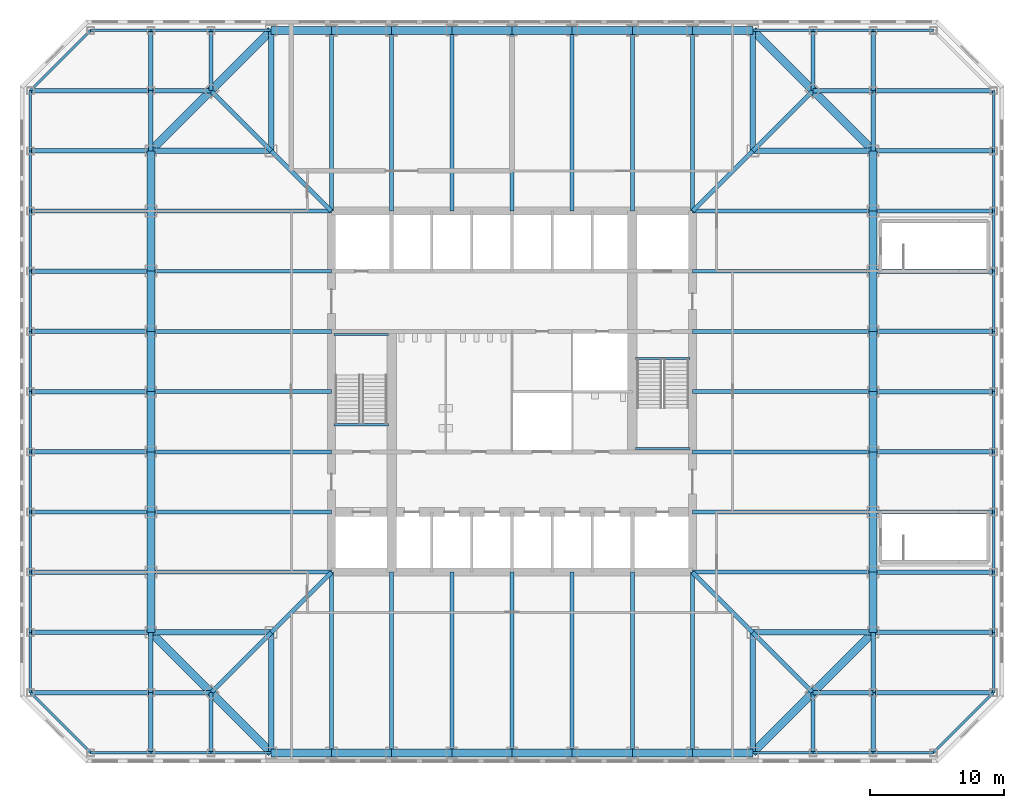
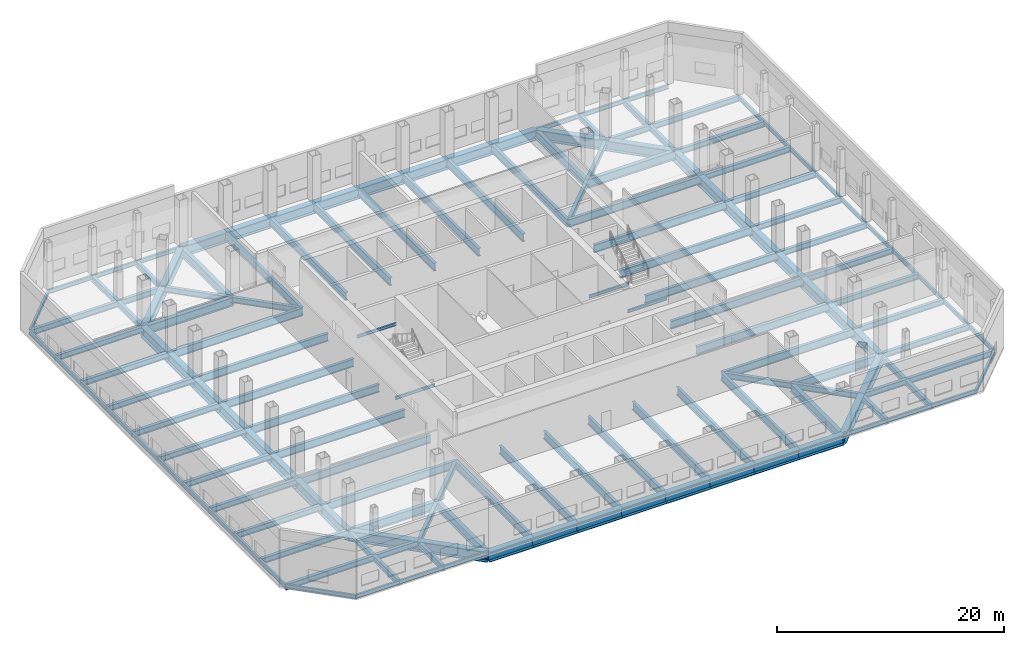
# One storey, part 4 of 14: 161 beams.
"""IFC4 building model written with IfcOpenShell, lengths in metres."""

from ifc_helpers import new_model, si_unit, direction, frame, origin, origin_2d, place, context, subcontext, project, spatial, i_section, extrude, material, material_profile, profile_set, type_object, element, save


model = new_model("IFC4")

# Units and contexts
model_context = context("Model", 3, precision=1e-05, world=origin(), true_north=direction((0.0, 1.0)))
body_context = subcontext(model_context, "Body", "Model", "MODEL_VIEW")
ifc_project = project(units=[si_unit("LENGTHUNIT", "METRE"), si_unit("AREAUNIT", "SQUARE_METRE"), si_unit("VOLUMEUNIT", "CUBIC_METRE"), si_unit("PLANEANGLEUNIT", "RADIAN"), si_unit("MASSUNIT", "GRAM", prefix="KILO")], contexts=[model_context])

# Site, building, storey
site_placement = place(None, origin())
site = spatial("IfcSite", under=ifc_project, at=site_placement, CompositionType="ELEMENT")
building_placement = place(site_placement, origin())
building = spatial("IfcBuilding", under=site, at=building_placement, Name="Corais Broadcast Tower", CompositionType="ELEMENT")
storey_placement = place(building_placement, frame((0.0, 0.0, 18.0)))
storey = spatial("IfcBuildingStorey", under=building, at=storey_placement, Name="L03", CompositionType="ELEMENT", Elevation=18.0)

# Beams
ifc_material_1 = material(Name="Steel ASTM A572 Grade 50", Category="steel")
ifc_material_profile_1 = material_profile(ifc_material_1, i_section(OverallWidth=0.323974609375, OverallDepth=0.611083984375, WebThickness=0.0126953125, FlangeThickness=0.01904296875, at=origin_2d()), Name="W610x155")
ifc_profile_set_1 = profile_set([ifc_material_profile_1], Name="Steel ASTM A572 Grade 50")
beam_type_1 = type_object("IfcBeamType", Name="Chamfer tie W610x155", PredefinedType="BEAM", material=ifc_profile_set_1)
for number, where, z_axis, x_axis, name in (
    (1, (0.0, 0.0, -0.505615234375), (0.0, 1.0, 0.0), (-1.0, 0.0, 0.0), "B5 A/3 to B/3"),
    (2, (0.0, 4.5, -0.505615234375), (0.0, 1.0, 0.0), (-1.0, 0.0, 0.0), "B5 B/3 to C/3"),
    (3, (0.0, 4.5, -0.505615234375), (1.0, 0.0, 0.0), (0.0, 1.0, 0.0), "B5 B/3 to B/4"),
    (4, (0.0, 49.5, -0.505615234375), (0.0, -1.0, 0.0), (1.0, 0.0, 0.0), "B5 M/3 to L/3"),
    (5, (0.0, 49.5, -0.505615234375), (1.0, 0.0, 0.0), (0.0, 1.0, 0.0), "B5 M/3 to M/4"),
    (6, (0.0, 54.0, -0.505615234375), (0.0, -1.0, 0.0), (1.0, 0.0, 0.0), "B5 N/3 to M/3"),
    (7, (4.5, 0.0, -0.505615234375), (0.0, 1.0, 0.0), (-1.0, 0.0, 0.0), "B5 A/4 to B/4"),
):
    element("IfcBeam", number, at=place(storey_placement, frame(where, z_axis=z_axis, x_axis=x_axis)), inside=storey, type_object=beam_type_1, Name=name, PredefinedType="BEAM", context=body_context, shape_type="SweptSolid", body=[
        extrude(i_section(OverallWidth=0.323974609375, OverallDepth=0.611083984375, WebThickness=0.0126953125, FlangeThickness=0.01904296875, at=origin_2d()), origin(), (0.0, 0.0, 1.0), 4.5),
    ])
for number, where, z_axis, x_axis, name in (
    (8, (4.5, 4.5, -0.505615234375), (0.707106781187, 0.707106781187, 0.0), (-0.707106781187, 0.707106781187, 0.0), "B5 B/4 to C/5"),
    (9, (4.5, 49.5, -0.505615234375), (0.707106781187, -0.707106781187, 0.0), (0.707106781187, 0.707106781187, 0.0), "B5 M/4 to L/5"),
):
    element("IfcBeam", number, at=place(storey_placement, frame(where, z_axis=z_axis, x_axis=x_axis)), inside=storey, type_object=beam_type_1, Name=name, PredefinedType="BEAM", context=body_context, shape_type="SweptSolid", body=[
        extrude(i_section(OverallWidth=0.323974609375, OverallDepth=0.611083984375, WebThickness=0.0126953125, FlangeThickness=0.01904296875, at=origin_2d()), origin(), (0.0, 0.0, 1.0), 6.364013671875),
    ])
for number, where, z_axis, x_axis, name in (
    (10, (4.5, 54.0, -0.505615234375), (0.0, -1.0, 0.0), (1.0, 0.0, 0.0), "B5 N/4 to M/4"),
    (11, (49.5, 0.0, -0.505615234375), (0.0, 1.0, 0.0), (-1.0, 0.0, 0.0), "B5 A/14 to B/14"),
):
    element("IfcBeam", number, at=place(storey_placement, frame(where, z_axis=z_axis, x_axis=x_axis)), inside=storey, type_object=beam_type_1, Name=name, PredefinedType="BEAM", context=body_context, shape_type="SweptSolid", body=[
        extrude(i_section(OverallWidth=0.323974609375, OverallDepth=0.611083984375, WebThickness=0.0126953125, FlangeThickness=0.01904296875, at=origin_2d()), origin(), (0.0, 0.0, 1.0), 4.5),
    ])
for number, where, z_axis, x_axis, name in (
    (12, (49.5, 4.5, -0.505615234375), (-0.707106781187, 0.707106781187, 0.0), (-0.707106781187, -0.707106781187, 0.0), "B5 B/14 to C/13"),
    (13, (49.5, 49.5, -0.505615234375), (-0.707106781187, -0.707106781187, 0.0), (0.707106781187, -0.707106781187, 0.0), "B5 M/14 to L/13"),
):
    element("IfcBeam", number, at=place(storey_placement, frame(where, z_axis=z_axis, x_axis=x_axis)), inside=storey, type_object=beam_type_1, Name=name, PredefinedType="BEAM", context=body_context, shape_type="SweptSolid", body=[
        extrude(i_section(OverallWidth=0.323974609375, OverallDepth=0.611083984375, WebThickness=0.0126953125, FlangeThickness=0.01904296875, at=origin_2d()), origin(), (0.0, 0.0, 1.0), 6.364013671875),
    ])
for number, where, z_axis, x_axis, name in (
    (14, (49.5, 54.0, -0.505615234375), (0.0, -1.0, 0.0), (1.0, 0.0, 0.0), "B5 N/14 to M/14"),
    (15, (54.0, 0.0, -0.505615234375), (0.0, 1.0, 0.0), (-1.0, 0.0, 0.0), "B5 A/15 to B/15"),
    (16, (54.0, 4.5, -0.505615234375), (-1.0, 0.0, 0.0), (0.0, -1.0, 0.0), "B5 B/15 to B/14"),
    (17, (54.0, 4.5, -0.505615234375), (0.0, 1.0, 0.0), (-1.0, 0.0, 0.0), "B5 B/15 to C/15"),
    (18, (54.0, 49.5, -0.505615234375), (-1.0, 0.0, 0.0), (0.0, -1.0, 0.0), "B5 M/15 to M/14"),
    (19, (54.0, 49.5, -0.505615234375), (0.0, -1.0, 0.0), (1.0, 0.0, 0.0), "B5 M/15 to L/15"),
    (20, (54.0, 54.0, -0.505615234375), (0.0, -1.0, 0.0), (1.0, 0.0, 0.0), "B5 N/15 to M/15"),
):
    element("IfcBeam", number, at=place(storey_placement, frame(where, z_axis=z_axis, x_axis=x_axis)), inside=storey, type_object=beam_type_1, Name=name, PredefinedType="BEAM", context=body_context, shape_type="SweptSolid", body=[
        extrude(i_section(OverallWidth=0.323974609375, OverallDepth=0.611083984375, WebThickness=0.0126953125, FlangeThickness=0.01904296875, at=origin_2d()), origin(), (0.0, 0.0, 1.0), 4.5),
    ])
ifc_material_2 = material(Name="Steel ASTM A572 Grade 50", Category="steel")
ifc_material_profile_2 = material_profile(ifc_material_2, i_section(OverallWidth=0.323974609375, OverallDepth=0.611083984375, WebThickness=0.0126953125, FlangeThickness=0.01904296875, at=origin_2d()), Name="W610x155")
ifc_profile_set_2 = profile_set([ifc_material_profile_2], Name="Steel ASTM A572 Grade 50")
beam_type_2 = type_object("IfcBeamType", Name="Corner diagonal W610x155", PredefinedType="BEAM", material=ifc_profile_set_2)
for number, where, z_axis, x_axis, name in (
    (21, (45.0, 45.0, -0.505615234375), (-0.707106781187, -0.707106781187, 0.0), (0.707106781187, -0.707106781187, 0.0), "B6 L/13 to K/12"),
    (22, (45.0, 9.0, -0.505615234375), (-0.707106781187, 0.707106781187, 0.0), (-0.707106781187, -0.707106781187, 0.0), "B6 C/13 to D/12"),
    (23, (9.0, 45.0, -0.505615234375), (0.707106781187, -0.707106781187, 0.0), (0.707106781187, 0.707106781187, 0.0), "B6 L/5 to K/6"),
    (24, (9.0, 9.0, -0.505615234375), (0.707106781187, 0.707106781187, 0.0), (-0.707106781187, 0.707106781187, 0.0), "B6 C/5 to D/6"),
):
    element("IfcBeam", number, at=place(storey_placement, frame(where, z_axis=z_axis, x_axis=x_axis)), inside=storey, type_object=beam_type_2, Name=name, PredefinedType="BEAM", context=body_context, shape_type="SweptSolid", body=[
        extrude(i_section(OverallWidth=0.323974609375, OverallDepth=0.611083984375, WebThickness=0.0126953125, FlangeThickness=0.01904296875, at=origin_2d()), origin(), (0.0, 0.0, 1.0), 6.364013671875),
    ])
ifc_material_3 = material(Name="Steel ASTM A572 Grade 50", Category="steel")
ifc_material_profile_3 = material_profile(ifc_material_3, i_section(OverallWidth=0.2939453125, OverallDepth=0.85107421875, WebThickness=0.01611328125, FlangeThickness=0.02685546875, at=origin_2d()), Name="W840x226")
ifc_profile_set_3 = profile_set([ifc_material_profile_3], Name="Steel ASTM A572 Grade 50")
beam_type_3 = type_object("IfcBeamType", Name="Heavy floor beam W840x226", PredefinedType="BEAM", material=ifc_profile_set_3)
for number, where, z_axis, x_axis, name in (
    (25, (0.0, 13.5, -0.62548828125), (1.0, 0.0, 0.0), (0.0, 1.0, 0.0), "B3 D/3 to D/6"),
    (26, (0.0, 18.0, -0.62548828125), (1.0, 0.0, 0.0), (0.0, 1.0, 0.0), "B3 E/3 to E/6"),
    (27, (0.0, 22.5, -0.62548828125), (1.0, 0.0, 0.0), (0.0, 1.0, 0.0), "B3 F/3 to F/6"),
    (28, (0.0, 27.0, -0.62548828125), (1.0, 0.0, 0.0), (0.0, 1.0, 0.0), "B3 G/3 to G/6"),
    (29, (0.0, 31.5, -0.62548828125), (1.0, 0.0, 0.0), (0.0, 1.0, 0.0), "B3 H/3 to H/6"),
    (30, (0.0, 36.0, -0.62548828125), (1.0, 0.0, 0.0), (0.0, 1.0, 0.0), "B3 J/3 to J/6"),
    (31, (0.0, 40.5, -0.62548828125), (1.0, 0.0, 0.0), (0.0, 1.0, 0.0), "B3 K/3 to K/6"),
    (32, (13.5, 0.0, -0.62548828125), (0.0, 1.0, 0.0), (-1.0, 0.0, 0.0), "B3 A/6 to D/6"),
    (33, (13.5, 54.0, -0.62548828125), (0.0, -1.0, 0.0), (1.0, 0.0, 0.0), "B3 N/6 to K/6"),
    (34, (18.0, 0.0, -0.62548828125), (0.0, 1.0, 0.0), (-1.0, 0.0, 0.0), "B3 A/7 to D/7"),
    (35, (18.0, 54.0, -0.62548828125), (0.0, -1.0, 0.0), (1.0, 0.0, 0.0), "B3 N/7 to K/7"),
    (36, (22.5, 0.0, -0.62548828125), (0.0, 1.0, 0.0), (-1.0, 0.0, 0.0), "B3 A/8 to D/8"),
    (37, (22.5, 54.0, -0.62548828125), (0.0, -1.0, 0.0), (1.0, 0.0, 0.0), "B3 N/8 to K/8"),
    (38, (27.0, 0.0, -0.62548828125), (0.0, 1.0, 0.0), (-1.0, 0.0, 0.0), "B3 A/9 to D/9"),
    (39, (27.0, 54.0, -0.62548828125), (0.0, -1.0, 0.0), (1.0, 0.0, 0.0), "B3 N/9 to K/9"),
    (40, (31.5, 0.0, -0.62548828125), (0.0, 1.0, 0.0), (-1.0, 0.0, 0.0), "B3 A/10 to D/10"),
    (41, (31.5, 54.0, -0.62548828125), (0.0, -1.0, 0.0), (1.0, 0.0, 0.0), "B3 N/10 to K/10"),
    (42, (36.0, 0.0, -0.62548828125), (0.0, 1.0, 0.0), (-1.0, 0.0, 0.0), "B3 A/11 to D/11"),
    (43, (36.0, 54.0, -0.62548828125), (0.0, -1.0, 0.0), (1.0, 0.0, 0.0), "B3 N/11 to K/11"),
    (44, (40.5, 0.0, -0.62548828125), (0.0, 1.0, 0.0), (-1.0, 0.0, 0.0), "B3 A/12 to D/12"),
    (45, (40.5, 54.0, -0.62548828125), (0.0, -1.0, 0.0), (1.0, 0.0, 0.0), "B3 N/12 to K/12"),
    (46, (54.0, 13.5, -0.62548828125), (-1.0, 0.0, 0.0), (0.0, -1.0, 0.0), "B3 D/15 to D/12"),
    (47, (54.0, 18.0, -0.62548828125), (-1.0, 0.0, 0.0), (0.0, -1.0, 0.0), "B3 E/15 to E/12"),
    (48, (54.0, 22.5, -0.62548828125), (-1.0, 0.0, 0.0), (0.0, -1.0, 0.0), "B3 F/15 to F/12"),
    (49, (54.0, 27.0, -0.62548828125), (-1.0, 0.0, 0.0), (0.0, -1.0, 0.0), "B3 G/15 to G/12"),
    (50, (54.0, 31.5, -0.62548828125), (-1.0, 0.0, 0.0), (0.0, -1.0, 0.0), "B3 H/15 to H/12"),
    (51, (54.0, 36.0, -0.62548828125), (-1.0, 0.0, 0.0), (0.0, -1.0, 0.0), "B3 J/15 to J/12"),
    (52, (54.0, 40.5, -0.62548828125), (-1.0, 0.0, 0.0), (0.0, -1.0, 0.0), "B3 K/15 to K/12"),
):
    element("IfcBeam", number, at=place(storey_placement, frame(where, z_axis=z_axis, x_axis=x_axis)), inside=storey, type_object=beam_type_3, Name=name, PredefinedType="BEAM", context=body_context, shape_type="SweptSolid", body=[
        extrude(i_section(OverallWidth=0.2939453125, OverallDepth=0.85107421875, WebThickness=0.01611328125, FlangeThickness=0.02685546875, at=origin_2d()), origin(), (0.0, 0.0, 1.0), 13.5),
    ])
ifc_material_4 = material(Name="Steel ASTM A572 Grade 50", Category="steel")
ifc_material_profile_4 = material_profile(ifc_material_4, i_section(OverallWidth=0.1650390625, OverallDepth=0.31005859375, WebThickness=0.005859375, FlangeThickness=0.009765625, at=origin_2d()), Name="W310x38.7")
ifc_profile_set_4 = profile_set([ifc_material_profile_4], Name="Steel ASTM A572 Grade 50")
beam_type_4 = type_object("IfcBeamType", Name="Landing trimmer W310x38.7", PredefinedType="BEAM", material=ifc_profile_set_4)
for number, where, z_axis, x_axis, name in (
    (53, (13.699951171875, 24.52490234375, -0.35498046875), (1.0, 0.0, 0.0), (0.0, 1.0, 0.0), "LT1 stair A landing trimmer L03"),
    (54, (13.699951171875, 31.260009765625, 2.14501953125), (1.0, 0.0, 0.0), (0.0, 1.0, 0.0), "LT1 stair A half landing trimmer L03"),
    (55, (36.25, 29.47509765625, -0.35498046875), (1.0, 0.0, 0.0), (0.0, 1.0, 0.0), "LT1 stair B landing trimmer L03"),
    (56, (36.25, 22.739990234375, 2.14501953125), (1.0, 0.0, 0.0), (0.0, 1.0, 0.0), "LT1 stair B half landing trimmer L03"),
):
    element("IfcBeam", number, at=place(storey_placement, frame(where, z_axis=z_axis, x_axis=x_axis)), inside=storey, type_object=beam_type_4, Name=name, PredefinedType="BEAM", context=body_context, shape_type="SweptSolid", body=[
        extrude(i_section(OverallWidth=0.1650390625, OverallDepth=0.31005859375, WebThickness=0.005859375, FlangeThickness=0.009765625, at=origin_2d()), origin(), (0.0, 0.0, 1.0), 4.050048828125),
    ])
ifc_material_5 = material(Name="Steel ASTM A572 Grade 50", Category="steel")
ifc_material_profile_5 = material_profile(ifc_material_5, i_section(OverallWidth=0.408935546875, OverallDepth=0.927001953125, WebThickness=0.0166015625, FlangeThickness=0.030029296875, at=origin_2d()), Name="W920x289")
ifc_profile_set_5 = profile_set([ifc_material_profile_5], Name="Steel ASTM A572 Grade 50")
beam_type_5 = type_object("IfcBeamType", Name="Transfer corner girder W920x289", PredefinedType="BEAM", material=ifc_profile_set_5)
for number, where, z_axis, x_axis, name in (
    (57, (0.0, 45.0, -0.66357421875), (1.0, 0.0, 0.0), (0.0, 1.0, 0.0), "B14 L/3 to L/5"),
    (58, (0.0, 9.0, -0.66357421875), (1.0, 0.0, 0.0), (0.0, 1.0, 0.0), "B14 C/3 to C/5"),
    (59, (45.0, 0.0, -0.66357421875), (0.0, 1.0, 0.0), (-1.0, 0.0, 0.0), "B14 A/13 to C/13"),
    (60, (45.0, 54.0, -0.66357421875), (0.0, -1.0, 0.0), (1.0, 0.0, 0.0), "B14 N/13 to L/13"),
    (61, (54.0, 45.0, -0.66357421875), (-1.0, 0.0, 0.0), (0.0, -1.0, 0.0), "B14 L/15 to L/13"),
    (62, (54.0, 9.0, -0.66357421875), (-1.0, 0.0, 0.0), (0.0, -1.0, 0.0), "B14 C/15 to C/13"),
    (63, (9.0, 0.0, -0.66357421875), (0.0, 1.0, 0.0), (-1.0, 0.0, 0.0), "B14 A/5 to C/5"),
    (64, (9.0, 54.0, -0.66357421875), (0.0, -1.0, 0.0), (1.0, 0.0, 0.0), "B14 N/5 to L/5"),
):
    element("IfcBeam", number, at=place(storey_placement, frame(where, z_axis=z_axis, x_axis=x_axis)), inside=storey, type_object=beam_type_5, Name=name, PredefinedType="BEAM", context=body_context, shape_type="SweptSolid", body=[
        extrude(i_section(OverallWidth=0.408935546875, OverallDepth=0.927001953125, WebThickness=0.0166015625, FlangeThickness=0.030029296875, at=origin_2d()), origin(), (0.0, 0.0, 1.0), 9.0),
    ])
ifc_material_6 = material(Name="Steel ASTM A572 Grade 50", Category="steel")
ifc_material_profile_6 = material_profile(ifc_material_6, i_section(OverallWidth=0.60009765625, OverallDepth=1.10009765625, WebThickness=0.030029296875, FlangeThickness=0.06005859375, at=origin_2d()), Name="PG1100x796")
ifc_profile_set_6 = profile_set([ifc_material_profile_6], Name="Steel ASTM A572 Grade 50")
beam_type_6 = type_object("IfcBeamType", Name="Transfer spandrel PG1100x796", PredefinedType="BEAM", material=ifc_profile_set_6)
for number, where, z_axis, x_axis, name in (
    (65, (0.0, 13.5, -0.75), (0.0, -1.0, 0.0), (1.0, 0.0, 0.0), "SB5 D/3 to C/3"),
    (66, (0.0, 18.0, -0.75), (0.0, -1.0, 0.0), (1.0, 0.0, 0.0), "SB5 E/3 to D/3"),
    (67, (0.0, 22.5, -0.75), (0.0, -1.0, 0.0), (1.0, 0.0, 0.0), "SB5 F/3 to E/3"),
    (68, (0.0, 27.0, -0.75), (0.0, -1.0, 0.0), (1.0, 0.0, 0.0), "SB5 G/3 to F/3"),
    (69, (0.0, 31.5, -0.75), (0.0, -1.0, 0.0), (1.0, 0.0, 0.0), "SB5 H/3 to G/3"),
    (70, (0.0, 36.0, -0.75), (0.0, -1.0, 0.0), (1.0, 0.0, 0.0), "SB5 J/3 to H/3"),
    (71, (0.0, 40.5, -0.75), (0.0, -1.0, 0.0), (1.0, 0.0, 0.0), "SB5 K/3 to J/3"),
    (72, (0.0, 45.0, -0.75), (0.0, -1.0, 0.0), (1.0, 0.0, 0.0), "SB5 L/3 to K/3"),
):
    element("IfcBeam", number, at=place(storey_placement, frame(where, z_axis=z_axis, x_axis=x_axis)), inside=storey, type_object=beam_type_6, Name=name, PredefinedType="BEAM", context=body_context, shape_type="SweptSolid", body=[
        extrude(i_section(OverallWidth=0.60009765625, OverallDepth=1.10009765625, WebThickness=0.030029296875, FlangeThickness=0.06005859375, at=origin_2d()), origin(), (0.0, 0.0, 1.0), 4.5),
    ])
beam_1_placement = place(storey_placement, frame((0.0, 9.0, -0.75), z_axis=(0.707106781187, -0.707106781187, 0.0), x_axis=(0.707106781187, 0.707106781187, 0.0)))
element("IfcBeam", 73, at=beam_1_placement, inside=storey, type_object=beam_type_6, Name="SB5 C/3 to B/4", PredefinedType="BEAM", context=body_context, shape_type="SweptSolid", body=[
    extrude(i_section(OverallWidth=0.60009765625, OverallDepth=1.10009765625, WebThickness=0.030029296875, FlangeThickness=0.06005859375, at=origin_2d()), origin(), (0.0, 0.0, 1.0), 6.364013671875),
])
for number, where, z_axis, x_axis, name in (
    (74, (13.5, 0.0, -0.75), (1.0, 0.0, 0.0), (0.0, 1.0, 0.0), "SB5 A/6 to A/7"),
    (75, (13.5, 54.0, -0.75), (-1.0, 0.0, 0.0), (0.0, -1.0, 0.0), "SB5 N/6 to N/5"),
    (76, (18.0, 0.0, -0.75), (1.0, 0.0, 0.0), (0.0, 1.0, 0.0), "SB5 A/7 to A/8"),
    (77, (18.0, 54.0, -0.75), (-1.0, 0.0, 0.0), (0.0, -1.0, 0.0), "SB5 N/7 to N/6"),
    (78, (22.5, 0.0, -0.75), (1.0, 0.0, 0.0), (0.0, 1.0, 0.0), "SB5 A/8 to A/9"),
    (79, (22.5, 54.0, -0.75), (-1.0, 0.0, 0.0), (0.0, -1.0, 0.0), "SB5 N/8 to N/7"),
    (80, (27.0, 0.0, -0.75), (1.0, 0.0, 0.0), (0.0, 1.0, 0.0), "SB5 A/9 to A/10"),
    (81, (27.0, 54.0, -0.75), (-1.0, 0.0, 0.0), (0.0, -1.0, 0.0), "SB5 N/9 to N/8"),
    (82, (31.5, 0.0, -0.75), (1.0, 0.0, 0.0), (0.0, 1.0, 0.0), "SB5 A/10 to A/11"),
    (83, (31.5, 54.0, -0.75), (-1.0, 0.0, 0.0), (0.0, -1.0, 0.0), "SB5 N/10 to N/9"),
    (84, (36.0, 0.0, -0.75), (1.0, 0.0, 0.0), (0.0, 1.0, 0.0), "SB5 A/11 to A/12"),
    (85, (36.0, 54.0, -0.75), (-1.0, 0.0, 0.0), (0.0, -1.0, 0.0), "SB5 N/11 to N/10"),
):
    element("IfcBeam", number, at=place(storey_placement, frame(where, z_axis=z_axis, x_axis=x_axis)), inside=storey, type_object=beam_type_6, Name=name, PredefinedType="BEAM", context=body_context, shape_type="SweptSolid", body=[
        extrude(i_section(OverallWidth=0.60009765625, OverallDepth=1.10009765625, WebThickness=0.030029296875, FlangeThickness=0.06005859375, at=origin_2d()), origin(), (0.0, 0.0, 1.0), 4.5),
    ])
for number, where, z_axis, x_axis, name in (
    (86, (4.5, 4.5, -0.75), (0.707106781187, -0.707106781187, 0.0), (0.707106781187, 0.707106781187, 0.0), "SB5 B/4 to A/5"),
    (87, (4.5, 49.5, -0.75), (-0.707106781187, -0.707106781187, 0.0), (0.707106781187, -0.707106781187, 0.0), "SB5 M/4 to L/3"),
):
    element("IfcBeam", number, at=place(storey_placement, frame(where, z_axis=z_axis, x_axis=x_axis)), inside=storey, type_object=beam_type_6, Name=name, PredefinedType="BEAM", context=body_context, shape_type="SweptSolid", body=[
        extrude(i_section(OverallWidth=0.60009765625, OverallDepth=1.10009765625, WebThickness=0.030029296875, FlangeThickness=0.06005859375, at=origin_2d()), origin(), (0.0, 0.0, 1.0), 6.364013671875),
    ])
for number, where, z_axis, x_axis, name in (
    (88, (40.5, 0.0, -0.75), (1.0, 0.0, 0.0), (0.0, 1.0, 0.0), "SB5 A/12 to A/13"),
    (89, (40.5, 54.0, -0.75), (-1.0, 0.0, 0.0), (0.0, -1.0, 0.0), "SB5 N/12 to N/11"),
):
    element("IfcBeam", number, at=place(storey_placement, frame(where, z_axis=z_axis, x_axis=x_axis)), inside=storey, type_object=beam_type_6, Name=name, PredefinedType="BEAM", context=body_context, shape_type="SweptSolid", body=[
        extrude(i_section(OverallWidth=0.60009765625, OverallDepth=1.10009765625, WebThickness=0.030029296875, FlangeThickness=0.06005859375, at=origin_2d()), origin(), (0.0, 0.0, 1.0), 4.5),
    ])
beam_2_placement = place(storey_placement, frame((45.0, 0.0, -0.75), z_axis=(0.707106781187, 0.707106781187, 0.0), x_axis=(-0.707106781187, 0.707106781187, 0.0)))
element("IfcBeam", 90, at=beam_2_placement, inside=storey, type_object=beam_type_6, Name="SB5 A/13 to B/14", PredefinedType="BEAM", context=body_context, shape_type="SweptSolid", body=[
    extrude(i_section(OverallWidth=0.60009765625, OverallDepth=1.10009765625, WebThickness=0.030029296875, FlangeThickness=0.06005859375, at=origin_2d()), origin(), (0.0, 0.0, 1.0), 6.364013671875),
])
beam_3_placement = place(storey_placement, frame((45.0, 54.0, -0.75), z_axis=(-1.0, 0.0, 0.0), x_axis=(0.0, -1.0, 0.0)))
element("IfcBeam", 91, at=beam_3_placement, inside=storey, type_object=beam_type_6, Name="SB5 N/13 to N/12", PredefinedType="BEAM", context=body_context, shape_type="SweptSolid", body=[
    extrude(i_section(OverallWidth=0.60009765625, OverallDepth=1.10009765625, WebThickness=0.030029296875, FlangeThickness=0.06005859375, at=origin_2d()), origin(), (0.0, 0.0, 1.0), 4.5),
])
for number, where, z_axis, x_axis, name in (
    (92, (49.5, 4.5, -0.75), (0.707106781187, 0.707106781187, 0.0), (-0.707106781187, 0.707106781187, 0.0), "SB5 B/14 to C/15"),
    (93, (49.5, 49.5, -0.75), (-0.707106781187, 0.707106781187, 0.0), (-0.707106781187, -0.707106781187, 0.0), "SB5 M/14 to N/13"),
):
    element("IfcBeam", number, at=place(storey_placement, frame(where, z_axis=z_axis, x_axis=x_axis)), inside=storey, type_object=beam_type_6, Name=name, PredefinedType="BEAM", context=body_context, shape_type="SweptSolid", body=[
        extrude(i_section(OverallWidth=0.60009765625, OverallDepth=1.10009765625, WebThickness=0.030029296875, FlangeThickness=0.06005859375, at=origin_2d()), origin(), (0.0, 0.0, 1.0), 6.364013671875),
    ])
for number, where, z_axis, x_axis, name in (
    (94, (54.0, 13.5, -0.75), (0.0, 1.0, 0.0), (-1.0, 0.0, 0.0), "SB5 D/15 to E/15"),
    (95, (54.0, 18.0, -0.75), (0.0, 1.0, 0.0), (-1.0, 0.0, 0.0), "SB5 E/15 to F/15"),
    (96, (54.0, 22.5, -0.75), (0.0, 1.0, 0.0), (-1.0, 0.0, 0.0), "SB5 F/15 to G/15"),
    (97, (54.0, 27.0, -0.75), (0.0, 1.0, 0.0), (-1.0, 0.0, 0.0), "SB5 G/15 to H/15"),
    (98, (54.0, 31.5, -0.75), (0.0, 1.0, 0.0), (-1.0, 0.0, 0.0), "SB5 H/15 to J/15"),
    (99, (54.0, 36.0, -0.75), (0.0, 1.0, 0.0), (-1.0, 0.0, 0.0), "SB5 J/15 to K/15"),
    (100, (54.0, 40.5, -0.75), (0.0, 1.0, 0.0), (-1.0, 0.0, 0.0), "SB5 K/15 to L/15"),
):
    element("IfcBeam", number, at=place(storey_placement, frame(where, z_axis=z_axis, x_axis=x_axis)), inside=storey, type_object=beam_type_6, Name=name, PredefinedType="BEAM", context=body_context, shape_type="SweptSolid", body=[
        extrude(i_section(OverallWidth=0.60009765625, OverallDepth=1.10009765625, WebThickness=0.030029296875, FlangeThickness=0.06005859375, at=origin_2d()), origin(), (0.0, 0.0, 1.0), 4.5),
    ])
beam_4_placement = place(storey_placement, frame((54.0, 45.0, -0.75), z_axis=(-0.707106781187, 0.707106781187, 0.0), x_axis=(-0.707106781187, -0.707106781187, 0.0)))
element("IfcBeam", 101, at=beam_4_placement, inside=storey, type_object=beam_type_6, Name="SB5 L/15 to M/14", PredefinedType="BEAM", context=body_context, shape_type="SweptSolid", body=[
    extrude(i_section(OverallWidth=0.60009765625, OverallDepth=1.10009765625, WebThickness=0.030029296875, FlangeThickness=0.06005859375, at=origin_2d()), origin(), (0.0, 0.0, 1.0), 6.364013671875),
])
for number, where, z_axis, x_axis, name in (
    (102, (54.0, 9.0, -0.75), (0.0, 1.0, 0.0), (-1.0, 0.0, 0.0), "SB5 C/15 to D/15"),
    (103, (9.0, 0.0, -0.75), (1.0, 0.0, 0.0), (0.0, 1.0, 0.0), "SB5 A/5 to A/6"),
):
    element("IfcBeam", number, at=place(storey_placement, frame(where, z_axis=z_axis, x_axis=x_axis)), inside=storey, type_object=beam_type_6, Name=name, PredefinedType="BEAM", context=body_context, shape_type="SweptSolid", body=[
        extrude(i_section(OverallWidth=0.60009765625, OverallDepth=1.10009765625, WebThickness=0.030029296875, FlangeThickness=0.06005859375, at=origin_2d()), origin(), (0.0, 0.0, 1.0), 4.5),
    ])
beam_5_placement = place(storey_placement, frame((9.0, 54.0, -0.75), z_axis=(-0.707106781187, -0.707106781187, 0.0), x_axis=(0.707106781187, -0.707106781187, 0.0)))
element("IfcBeam", 104, at=beam_5_placement, inside=storey, type_object=beam_type_6, Name="SB5 N/5 to M/4", PredefinedType="BEAM", context=body_context, shape_type="SweptSolid", body=[
    extrude(i_section(OverallWidth=0.60009765625, OverallDepth=1.10009765625, WebThickness=0.030029296875, FlangeThickness=0.06005859375, at=origin_2d()), origin(), (0.0, 0.0, 1.0), 6.364013671875),
])
ifc_material_7 = material(Name="Steel ASTM A572 Grade 50", Category="steel")
ifc_material_profile_7 = material_profile(ifc_material_7, i_section(OverallWidth=0.18994140625, OverallDepth=0.45703125, WebThickness=0.009033203125, FlangeThickness=0.014404296875, at=origin_2d()), Name="W460x74")
ifc_profile_set_7 = profile_set([ifc_material_profile_7], Name="Steel ASTM A572 Grade 50")
beam_type_7 = type_object("IfcBeamType", Name="Wing edge beam W460x74", PredefinedType="BEAM", material=ifc_profile_set_7)
beam_6_placement = place(storey_placement, frame((-4.5, 0.0, -0.428466796875), z_axis=(1.0, 0.0, 0.0), x_axis=(0.0, 1.0, 0.0)))
element("IfcBeam", 105, at=beam_6_placement, inside=storey, type_object=beam_type_7, Name="B7 A/2 to A/3", PredefinedType="BEAM", context=body_context, shape_type="SweptSolid", body=[
    extrude(i_section(OverallWidth=0.18994140625, OverallDepth=0.45703125, WebThickness=0.009033203125, FlangeThickness=0.014404296875, at=origin_2d()), origin(), (0.0, 0.0, 1.0), 4.5),
])
beam_7_placement = place(storey_placement, frame((-4.5, 54.0, -0.428466796875), z_axis=(-0.707106781187, -0.707106781187, 0.0), x_axis=(0.707106781187, -0.707106781187, 0.0)))
element("IfcBeam", 106, at=beam_7_placement, inside=storey, type_object=beam_type_7, Name="B7 N/2 to M/1", PredefinedType="BEAM", context=body_context, shape_type="SweptSolid", body=[
    extrude(i_section(OverallWidth=0.18994140625, OverallDepth=0.45703125, WebThickness=0.009033203125, FlangeThickness=0.014404296875, at=origin_2d()), origin(), (0.0, 0.0, 1.0), 6.364013671875),
])
for number, where, z_axis, x_axis, name in (
    (107, (-9.0, 13.5, -0.428466796875), (0.0, -1.0, 0.0), (1.0, 0.0, 0.0), "B7 D/1 to C/1"),
    (108, (-9.0, 18.0, -0.428466796875), (0.0, -1.0, 0.0), (1.0, 0.0, 0.0), "B7 E/1 to D/1"),
    (109, (-9.0, 22.5, -0.428466796875), (0.0, -1.0, 0.0), (1.0, 0.0, 0.0), "B7 F/1 to E/1"),
    (110, (-9.0, 27.0, -0.428466796875), (0.0, -1.0, 0.0), (1.0, 0.0, 0.0), "B7 G/1 to F/1"),
    (111, (-9.0, 31.5, -0.428466796875), (0.0, -1.0, 0.0), (1.0, 0.0, 0.0), "B7 H/1 to G/1"),
    (112, (-9.0, 36.0, -0.428466796875), (0.0, -1.0, 0.0), (1.0, 0.0, 0.0), "B7 J/1 to H/1"),
):
    element("IfcBeam", number, at=place(storey_placement, frame(where, z_axis=z_axis, x_axis=x_axis)), inside=storey, type_object=beam_type_7, Name=name, PredefinedType="BEAM", context=body_context, shape_type="SweptSolid", body=[
        extrude(i_section(OverallWidth=0.18994140625, OverallDepth=0.45703125, WebThickness=0.009033203125, FlangeThickness=0.014404296875, at=origin_2d()), origin(), (0.0, 0.0, 1.0), 4.5),
    ])
beam_8_placement = place(storey_placement, frame((-9.0, 4.5, -0.428466796875), z_axis=(0.707106781187, -0.707106781187, 0.0), x_axis=(0.707106781187, 0.707106781187, 0.0)))
element("IfcBeam", 113, at=beam_8_placement, inside=storey, type_object=beam_type_7, Name="B7 B/1 to A/2", PredefinedType="BEAM", context=body_context, shape_type="SweptSolid", body=[
    extrude(i_section(OverallWidth=0.18994140625, OverallDepth=0.45703125, WebThickness=0.009033203125, FlangeThickness=0.014404296875, at=origin_2d()), origin(), (0.0, 0.0, 1.0), 6.364013671875),
])
for number, where, z_axis, x_axis, name in (
    (114, (-9.0, 40.5, -0.428466796875), (0.0, -1.0, 0.0), (1.0, 0.0, 0.0), "B7 K/1 to J/1"),
    (115, (-9.0, 45.0, -0.428466796875), (0.0, -1.0, 0.0), (1.0, 0.0, 0.0), "B7 L/1 to K/1"),
    (116, (-9.0, 49.5, -0.428466796875), (0.0, -1.0, 0.0), (1.0, 0.0, 0.0), "B7 M/1 to L/1"),
    (117, (-9.0, 9.0, -0.428466796875), (0.0, -1.0, 0.0), (1.0, 0.0, 0.0), "B7 C/1 to B/1"),
    (118, (0.0, 0.0, -0.428466796875), (1.0, 0.0, 0.0), (0.0, 1.0, 0.0), "B7 A/3 to A/4"),
    (119, (0.0, 54.0, -0.428466796875), (-1.0, 0.0, 0.0), (0.0, -1.0, 0.0), "B7 N/3 to N/2"),
    (120, (4.5, 0.0, -0.428466796875), (1.0, 0.0, 0.0), (0.0, 1.0, 0.0), "B7 A/4 to A/5"),
    (121, (4.5, 54.0, -0.428466796875), (-1.0, 0.0, 0.0), (0.0, -1.0, 0.0), "B7 N/4 to N/3"),
    (122, (45.0, 0.0, -0.428466796875), (1.0, 0.0, 0.0), (0.0, 1.0, 0.0), "B7 A/13 to A/14"),
    (123, (49.5, 0.0, -0.428466796875), (1.0, 0.0, 0.0), (0.0, 1.0, 0.0), "B7 A/14 to A/15"),
    (124, (49.5, 54.0, -0.428466796875), (-1.0, 0.0, 0.0), (0.0, -1.0, 0.0), "B7 N/14 to N/13"),
    (125, (54.0, 0.0, -0.428466796875), (1.0, 0.0, 0.0), (0.0, 1.0, 0.0), "B7 A/15 to A/16"),
    (126, (54.0, 54.0, -0.428466796875), (-1.0, 0.0, 0.0), (0.0, -1.0, 0.0), "B7 N/15 to N/14"),
):
    element("IfcBeam", number, at=place(storey_placement, frame(where, z_axis=z_axis, x_axis=x_axis)), inside=storey, type_object=beam_type_7, Name=name, PredefinedType="BEAM", context=body_context, shape_type="SweptSolid", body=[
        extrude(i_section(OverallWidth=0.18994140625, OverallDepth=0.45703125, WebThickness=0.009033203125, FlangeThickness=0.014404296875, at=origin_2d()), origin(), (0.0, 0.0, 1.0), 4.5),
    ])
beam_9_placement = place(storey_placement, frame((58.5, 0.0, -0.428466796875), z_axis=(0.707106781187, 0.707106781187, 0.0), x_axis=(-0.707106781187, 0.707106781187, 0.0)))
element("IfcBeam", 127, at=beam_9_placement, inside=storey, type_object=beam_type_7, Name="B7 A/16 to B/17", PredefinedType="BEAM", context=body_context, shape_type="SweptSolid", body=[
    extrude(i_section(OverallWidth=0.18994140625, OverallDepth=0.45703125, WebThickness=0.009033203125, FlangeThickness=0.014404296875, at=origin_2d()), origin(), (0.0, 0.0, 1.0), 6.364013671875),
])
for number, where, z_axis, x_axis, name in (
    (128, (58.5, 54.0, -0.428466796875), (-1.0, 0.0, 0.0), (0.0, -1.0, 0.0), "B7 N/16 to N/15"),
    (129, (63.0, 13.5, -0.428466796875), (0.0, 1.0, 0.0), (-1.0, 0.0, 0.0), "B7 D/17 to E/17"),
    (130, (63.0, 18.0, -0.428466796875), (0.0, 1.0, 0.0), (-1.0, 0.0, 0.0), "B7 E/17 to F/17"),
    (131, (63.0, 22.5, -0.428466796875), (0.0, 1.0, 0.0), (-1.0, 0.0, 0.0), "B7 F/17 to G/17"),
    (132, (63.0, 27.0, -0.428466796875), (0.0, 1.0, 0.0), (-1.0, 0.0, 0.0), "B7 G/17 to H/17"),
    (133, (63.0, 31.5, -0.428466796875), (0.0, 1.0, 0.0), (-1.0, 0.0, 0.0), "B7 H/17 to J/17"),
    (134, (63.0, 36.0, -0.428466796875), (0.0, 1.0, 0.0), (-1.0, 0.0, 0.0), "B7 J/17 to K/17"),
    (135, (63.0, 4.5, -0.428466796875), (0.0, 1.0, 0.0), (-1.0, 0.0, 0.0), "B7 B/17 to C/17"),
    (136, (63.0, 40.5, -0.428466796875), (0.0, 1.0, 0.0), (-1.0, 0.0, 0.0), "B7 K/17 to L/17"),
    (137, (63.0, 45.0, -0.428466796875), (0.0, 1.0, 0.0), (-1.0, 0.0, 0.0), "B7 L/17 to M/17"),
    (138, (63.0, 9.0, -0.428466796875), (0.0, 1.0, 0.0), (-1.0, 0.0, 0.0), "B7 C/17 to D/17"),
    (139, (9.0, 54.0, -0.428466796875), (-1.0, 0.0, 0.0), (0.0, -1.0, 0.0), "B7 N/5 to N/4"),
):
    element("IfcBeam", number, at=place(storey_placement, frame(where, z_axis=z_axis, x_axis=x_axis)), inside=storey, type_object=beam_type_7, Name=name, PredefinedType="BEAM", context=body_context, shape_type="SweptSolid", body=[
        extrude(i_section(OverallWidth=0.18994140625, OverallDepth=0.45703125, WebThickness=0.009033203125, FlangeThickness=0.014404296875, at=origin_2d()), origin(), (0.0, 0.0, 1.0), 4.5),
    ])
ifc_material_8 = material(Name="Steel ASTM A572 Grade 50", Category="steel")
ifc_material_profile_8 = material_profile(ifc_material_8, i_section(OverallWidth=0.323974609375, OverallDepth=0.611083984375, WebThickness=0.0126953125, FlangeThickness=0.01904296875, at=origin_2d()), Name="W610x155")
ifc_profile_set_8 = profile_set([ifc_material_profile_8], Name="Steel ASTM A572 Grade 50")
beam_type_8 = type_object("IfcBeamType", Name="Wing girder W610x155", PredefinedType="BEAM", material=ifc_profile_set_8)
for number, where, z_axis, x_axis, name in (
    (140, (-9.0, 13.5, -0.505615234375), (1.0, 0.0, 0.0), (0.0, 1.0, 0.0), "B11 D/1 to D/3"),
    (141, (-9.0, 18.0, -0.505615234375), (1.0, 0.0, 0.0), (0.0, 1.0, 0.0), "B11 E/1 to E/3"),
    (142, (-9.0, 22.5, -0.505615234375), (1.0, 0.0, 0.0), (0.0, 1.0, 0.0), "B11 F/1 to F/3"),
    (143, (-9.0, 27.0, -0.505615234375), (1.0, 0.0, 0.0), (0.0, 1.0, 0.0), "B11 G/1 to G/3"),
    (144, (-9.0, 31.5, -0.505615234375), (1.0, 0.0, 0.0), (0.0, 1.0, 0.0), "B11 H/1 to H/3"),
    (145, (-9.0, 36.0, -0.505615234375), (1.0, 0.0, 0.0), (0.0, 1.0, 0.0), "B11 J/1 to J/3"),
    (146, (-9.0, 4.5, -0.505615234375), (1.0, 0.0, 0.0), (0.0, 1.0, 0.0), "B11 B/1 to B/3"),
    (147, (-9.0, 40.5, -0.505615234375), (1.0, 0.0, 0.0), (0.0, 1.0, 0.0), "B11 K/1 to K/3"),
    (148, (-9.0, 45.0, -0.505615234375), (1.0, 0.0, 0.0), (0.0, 1.0, 0.0), "B11 L/1 to L/3"),
    (149, (-9.0, 49.5, -0.505615234375), (1.0, 0.0, 0.0), (0.0, 1.0, 0.0), "B11 M/1 to M/3"),
    (150, (-9.0, 9.0, -0.505615234375), (1.0, 0.0, 0.0), (0.0, 1.0, 0.0), "B11 C/1 to C/3"),
    (151, (54.0, 13.5, -0.505615234375), (1.0, 0.0, 0.0), (0.0, 1.0, 0.0), "B11 D/15 to D/17"),
    (152, (54.0, 18.0, -0.505615234375), (1.0, 0.0, 0.0), (0.0, 1.0, 0.0), "B11 E/15 to E/17"),
    (153, (54.0, 22.5, -0.505615234375), (1.0, 0.0, 0.0), (0.0, 1.0, 0.0), "B11 F/15 to F/17"),
    (154, (54.0, 27.0, -0.505615234375), (1.0, 0.0, 0.0), (0.0, 1.0, 0.0), "B11 G/15 to G/17"),
    (155, (54.0, 31.5, -0.505615234375), (1.0, 0.0, 0.0), (0.0, 1.0, 0.0), "B11 H/15 to H/17"),
    (156, (54.0, 36.0, -0.505615234375), (1.0, 0.0, 0.0), (0.0, 1.0, 0.0), "B11 J/15 to J/17"),
    (157, (54.0, 4.5, -0.505615234375), (1.0, 0.0, 0.0), (0.0, 1.0, 0.0), "B11 B/15 to B/17"),
    (158, (54.0, 40.5, -0.505615234375), (1.0, 0.0, 0.0), (0.0, 1.0, 0.0), "B11 K/15 to K/17"),
    (159, (54.0, 45.0, -0.505615234375), (1.0, 0.0, 0.0), (0.0, 1.0, 0.0), "B11 L/15 to L/17"),
    (160, (54.0, 49.5, -0.505615234375), (1.0, 0.0, 0.0), (0.0, 1.0, 0.0), "B11 M/15 to M/17"),
    (161, (54.0, 9.0, -0.505615234375), (1.0, 0.0, 0.0), (0.0, 1.0, 0.0), "B11 C/15 to C/17"),
):
    element("IfcBeam", number, at=place(storey_placement, frame(where, z_axis=z_axis, x_axis=x_axis)), inside=storey, type_object=beam_type_8, Name=name, PredefinedType="BEAM", context=body_context, shape_type="SweptSolid", body=[
        extrude(i_section(OverallWidth=0.323974609375, OverallDepth=0.611083984375, WebThickness=0.0126953125, FlangeThickness=0.01904296875, at=origin_2d()), origin(), (0.0, 0.0, 1.0), 9.0),
    ])

save(model, "model.ifc")
